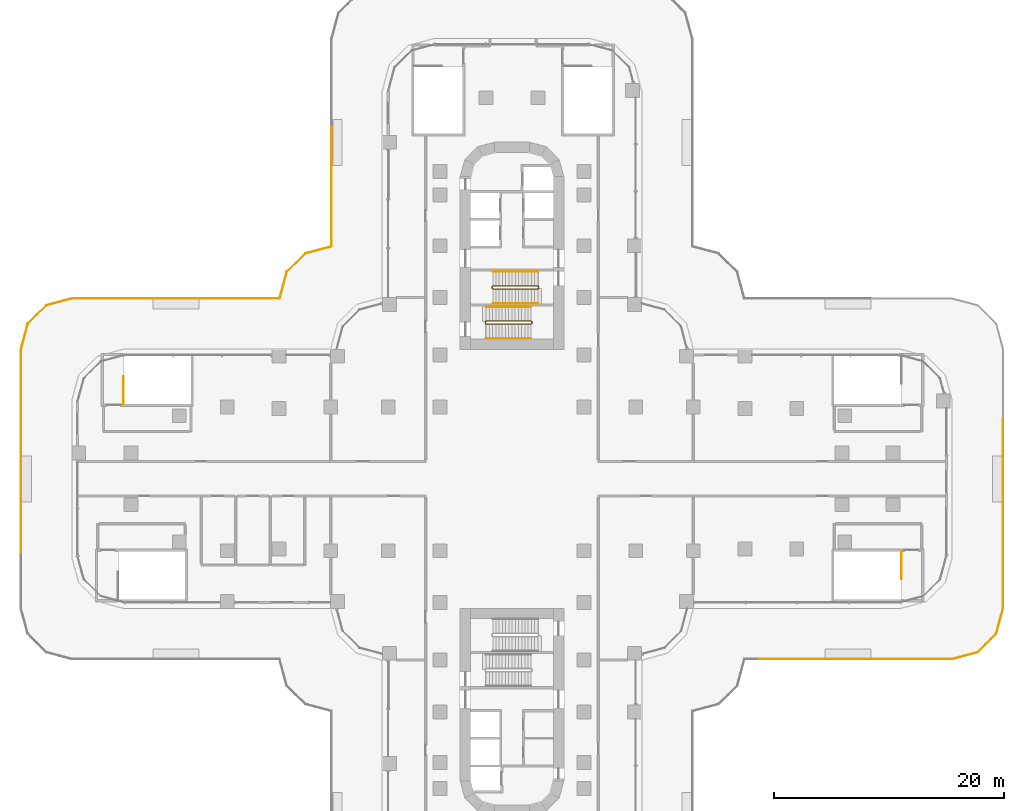
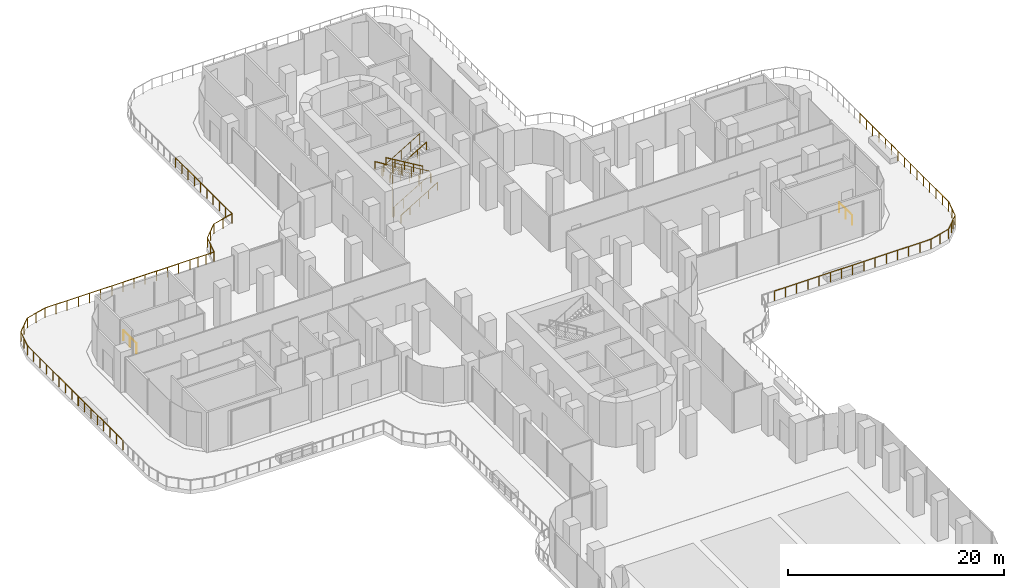
# One storey, part 19 of 21: 13 railings.
"""IFC4 building model written with IfcOpenShell, lengths in metres."""

from ifc_helpers import new_model, si_unit, direction, frame, origin, origin_2d, place, context, subcontext, project, spatial, circle, extrude, material, type_object, element, save


model = new_model("IFC4")

# Units and contexts
model_context = context("Model", 3, precision=1e-05, world=origin(), true_north=direction((0.0, 1.0)))
body_context = subcontext(model_context, "Body", "Model", "MODEL_VIEW")
ifc_project = project(units=[si_unit("LENGTHUNIT", "METRE"), si_unit("AREAUNIT", "SQUARE_METRE"), si_unit("VOLUMEUNIT", "CUBIC_METRE"), si_unit("PLANEANGLEUNIT", "RADIAN"), si_unit("MASSUNIT", "GRAM", prefix="KILO")], contexts=[model_context])

# Site, building, storey
site_placement = place(None, origin())
site = spatial("IfcSite", under=ifc_project, at=site_placement, CompositionType="ELEMENT")
building_placement = place(site_placement, origin())
building = spatial("IfcBuilding", under=site, at=building_placement, Name="Zarbagh Exchange Tower", CompositionType="ELEMENT")
storey_placement = place(building_placement, frame((0.0, 0.0, 22.0)))
storey = spatial("IfcBuildingStorey", under=building, at=storey_placement, Name="L04", CompositionType="ELEMENT", Elevation=22.0)

# Railings
ifc_material_1 = material(Name="Stainless steel", Category="steel")
railing_type_1 = type_object("IfcRailingType", Name="Stair guard 1100 mm", PredefinedType="GUARDRAIL", material=ifc_material_1)
railing_1_placement = place(storey_placement, frame((-1.669921875, 16.5, 2.666748046875)))
element("IfcRailing", 1, at=railing_1_placement, inside=storey, type_object=railing_type_1, Name="ST1 stair guard 1", PredefinedType="GUARDRAIL", context=body_context, shape_type="SweptSolid", body=[
    extrude(circle(Radius=0.02392578125, at=origin_2d()), frame((0.0, 0.0, 1.076171875), z_axis=(0.859296244711, 0.0, 0.511478214419), x_axis=(0.0, 1.0, 0.0)), (0.0, 0.0, 1.0), 4.561767578125),
    extrude(circle(Radius=0.02392578125, at=origin_2d()), frame((3.919921875, 0.0, 3.4091796875), z_axis=(0.010008762843, 0.010008762843, -0.999899819648), x_axis=(-0.707106781187, 0.707106781187, 0.0)), (0.0, 0.0, 1.0), 5.00048828125),
    extrude(circle(Radius=0.02392578125, at=origin_2d()), frame((3.969970703125, 0.050048828125, -1.5908203125), z_axis=(0.0, 1.0, 0.0), x_axis=(-1.0, 0.0, 0.0)), (0.0, 0.0, 1.0), 0.14990234375),
    extrude(circle(Radius=0.02392578125, at=origin_2d()), frame((3.969970703125, 0.199951171875, -1.5908203125), z_axis=(-0.27628659633, 0.27628659633, 0.920506074601), x_axis=(-0.707106781187, -0.707106781187, 0.0)), (0.0, 0.0, 1.0), 0.18115234375),
    extrude(circle(Radius=0.02392578125, at=origin_2d()), frame((3.919921875, 0.25, -1.423828125), z_axis=(-0.859296244711, 0.0, 0.511478214419), x_axis=(0.0, -1.0, 0.0)), (0.0, 0.0, 1.0), 4.561767578125),
    extrude(circle(Radius=0.02392578125, at=origin_2d()), frame((0.0, 0.25, 0.9091796875), z_axis=(-0.707106781187, -0.707106781187, 0.0), x_axis=(0.707106781187, -0.707106781187, 0.0)), (0.0, 0.0, 1.0), 0.07080078125),
    extrude(circle(Radius=0.02392578125, at=origin_2d()), frame((-0.050048828125, 0.199951171875, 0.9091796875), z_axis=(0.0, -1.0, 0.0), x_axis=(1.0, 0.0, 0.0)), (0.0, 0.0, 1.0), 0.14990234375),
    extrude(circle(Radius=0.02099609375, at=origin_2d()), origin(), (0.0, 0.0, 1.0), 1.052001953125),
    extrude(circle(Radius=0.02099609375, at=origin_2d()), frame((0.97998046875, 0.0, 0.583251953125)), (0.0, 0.0, 1.0), 1.052001953125),
    extrude(circle(Radius=0.02099609375, at=origin_2d()), frame((1.9599609375, 0.0, 1.16650390625)), (0.0, 0.0, 1.0), 1.052001953125),
    extrude(circle(Radius=0.02099609375, at=origin_2d()), frame((2.93994140625, 0.0, 1.75)), (0.0, 0.0, 1.0), 1.052001953125),
    extrude(circle(Radius=0.02099609375, at=origin_2d()), frame((3.919921875, 0.0, 2.333251953125)), (0.0, 0.0, 1.0), 1.052001953125),
    extrude(circle(Radius=0.02099609375, at=origin_2d()), frame((3.929931640625, 0.010009765625, 1.333251953125)), (0.0, 0.0, 1.0), 1.052001953125),
    extrude(circle(Radius=0.02099609375, at=origin_2d()), frame((3.93994140625, 0.02001953125, 0.333251953125)), (0.0, 0.0, 1.0), 1.052001953125),
    extrude(circle(Radius=0.02099609375, at=origin_2d()), frame((3.949951171875, 0.030029296875, -0.666748046875)), (0.0, 0.0, 1.0), 1.052001953125),
    extrude(circle(Radius=0.02099609375, at=origin_2d()), frame((3.9599609375, 0.0400390625, -1.666748046875)), (0.0, 0.0, 1.0), 1.052001953125),
    extrude(circle(Radius=0.02099609375, at=origin_2d()), frame((3.969970703125, 0.050048828125, -2.666748046875)), (0.0, 0.0, 1.0), 1.052001953125),
    extrude(circle(Radius=0.02099609375, at=origin_2d()), frame((3.969970703125, 0.199951171875, -2.666748046875)), (0.0, 0.0, 1.0), 1.052001953125),
    extrude(circle(Radius=0.02099609375, at=origin_2d()), frame((3.919921875, 0.25, -2.5)), (0.0, 0.0, 1.0), 1.052001953125),
    extrude(circle(Radius=0.02099609375, at=origin_2d()), frame((2.93994140625, 0.25, -1.916748046875)), (0.0, 0.0, 1.0), 1.052001953125),
    extrude(circle(Radius=0.02099609375, at=origin_2d()), frame((1.9599609375, 0.25, -1.33349609375)), (0.0, 0.0, 1.0), 1.052001953125),
    extrude(circle(Radius=0.02099609375, at=origin_2d()), frame((0.97998046875, 0.25, -0.75)), (0.0, 0.0, 1.0), 1.052001953125),
    extrude(circle(Radius=0.02099609375, at=origin_2d()), frame((0.0, 0.25, -0.166748046875)), (0.0, 0.0, 1.0), 1.052001953125),
    extrude(circle(Radius=0.02099609375, at=origin_2d()), frame((-0.050048828125, 0.199951171875, -0.166748046875)), (0.0, 0.0, 1.0), 1.052001953125),
    extrude(circle(Radius=0.02099609375, at=origin_2d()), frame((-0.050048828125, 0.050048828125, -0.166748046875)), (0.0, 0.0, 1.0), 1.052001953125),
])
railing_2_placement = place(storey_placement, frame((1.719970703125, 13.5, 2.5)))
element("IfcRailing", 2, at=railing_2_placement, inside=storey, type_object=railing_type_1, Name="ST2 stair guard 1", PredefinedType="GUARDRAIL", context=body_context, shape_type="SweptSolid", body=[
    extrude(circle(Radius=0.02392578125, at=origin_2d()), frame((0.0, 0.0, 1.076171875), z_axis=(0.0, 1.0, 0.0), x_axis=(-1.0, 0.0, 0.0)), (0.0, 0.0, 1.0), 0.14990234375),
    extrude(circle(Radius=0.02392578125, at=origin_2d()), frame((0.0, 0.14990234375, 1.076171875), z_axis=(-0.27628659633, 0.27628659633, 0.920506074601), x_axis=(-0.707106781187, -0.707106781187, 0.0)), (0.0, 0.0, 1.0), 0.18115234375),
    extrude(circle(Radius=0.02392578125, at=origin_2d()), frame((-0.050048828125, 0.199951171875, 1.24267578125), z_axis=(-0.859296244711, 0.0, 0.511478214419), x_axis=(0.0, -1.0, 0.0)), (0.0, 0.0, 1.0), 4.561767578125),
    extrude(circle(Radius=0.02392578125, at=origin_2d()), frame((-3.969970703125, 0.199951171875, 3.576171875), z_axis=(-0.010008762843, -0.010008762843, -0.999899819648), x_axis=(0.707106781187, -0.707106781187, 0.0)), (0.0, 0.0, 1.0), 5.00048828125),
    extrude(circle(Radius=0.02392578125, at=origin_2d()), frame((-4.02001953125, 0.14990234375, -1.423828125), z_axis=(0.0, -1.0, 0.0), x_axis=(1.0, 0.0, 0.0)), (0.0, 0.0, 1.0), 0.14990234375),
    extrude(circle(Radius=0.02392578125, at=origin_2d()), frame((-4.02001953125, 0.0, -1.423828125), z_axis=(0.27628659633, -0.27628659633, 0.920506074601), x_axis=(0.707106781187, 0.707106781187, 0.0)), (0.0, 0.0, 1.0), 0.18115234375),
    extrude(circle(Radius=0.02392578125, at=origin_2d()), frame((-3.969970703125, -0.050048828125, -1.25732421875), z_axis=(0.859296244711, 0.0, 0.511478214419), x_axis=(0.0, 1.0, 0.0)), (0.0, 0.0, 1.0), 4.561767578125),
    extrude(circle(Radius=0.02099609375, at=origin_2d()), origin(), (0.0, 0.0, 1.0), 1.052001953125),
    extrude(circle(Radius=0.02099609375, at=origin_2d()), frame((0.0, 0.14990234375, 0.0)), (0.0, 0.0, 1.0), 1.052001953125),
    extrude(circle(Radius=0.02099609375, at=origin_2d()), frame((-0.050048828125, 0.199951171875, 0.166748046875)), (0.0, 0.0, 1.0), 1.052001953125),
    extrude(circle(Radius=0.02099609375, at=origin_2d()), frame((-1.030029296875, 0.199951171875, 0.75)), (0.0, 0.0, 1.0), 1.052001953125),
    extrude(circle(Radius=0.02099609375, at=origin_2d()), frame((-2.010009765625, 0.199951171875, 1.33349609375)), (0.0, 0.0, 1.0), 1.052001953125),
    extrude(circle(Radius=0.02099609375, at=origin_2d()), frame((-2.989990234375, 0.199951171875, 1.916748046875)), (0.0, 0.0, 1.0), 1.052001953125),
    extrude(circle(Radius=0.02099609375, at=origin_2d()), frame((-3.969970703125, 0.199951171875, 2.5)), (0.0, 0.0, 1.0), 1.052001953125),
    extrude(circle(Radius=0.02099609375, at=origin_2d()), frame((-3.97998046875, 0.18994140625, 1.5)), (0.0, 0.0, 1.0), 1.052001953125),
    extrude(circle(Radius=0.02099609375, at=origin_2d()), frame((-3.989990234375, 0.179931640625, 0.5)), (0.0, 0.0, 1.0), 1.052001953125),
    extrude(circle(Radius=0.02099609375, at=origin_2d()), frame((-4.0, 0.169921875, -0.5)), (0.0, 0.0, 1.0), 1.052001953125),
    extrude(circle(Radius=0.02099609375, at=origin_2d()), frame((-4.010009765625, 0.159912109375, -1.5)), (0.0, 0.0, 1.0), 1.052001953125),
    extrude(circle(Radius=0.02099609375, at=origin_2d()), frame((-4.02001953125, 0.14990234375, -2.5)), (0.0, 0.0, 1.0), 1.052001953125),
    extrude(circle(Radius=0.02099609375, at=origin_2d()), frame((-4.02001953125, 0.0, -2.5)), (0.0, 0.0, 1.0), 1.052001953125),
    extrude(circle(Radius=0.02099609375, at=origin_2d()), frame((-3.969970703125, -0.050048828125, -2.333251953125)), (0.0, 0.0, 1.0), 1.052001953125),
    extrude(circle(Radius=0.02099609375, at=origin_2d()), frame((-2.989990234375, -0.050048828125, -1.75)), (0.0, 0.0, 1.0), 1.052001953125),
    extrude(circle(Radius=0.02099609375, at=origin_2d()), frame((-2.010009765625, -0.050048828125, -1.16650390625)), (0.0, 0.0, 1.0), 1.052001953125),
    extrude(circle(Radius=0.02099609375, at=origin_2d()), frame((-1.030029296875, -0.050048828125, -0.583251953125)), (0.0, 0.0, 1.0), 1.052001953125),
    extrude(circle(Radius=0.02099609375, at=origin_2d()), frame((-0.050048828125, -0.050048828125, 0.0)), (0.0, 0.0, 1.0), 1.052001953125),
])
railing_3_placement = place(storey_placement, frame((-33.75, 6.5, 0.0)))
element("IfcRailing", 3, at=railing_3_placement, inside=storey, type_object=railing_type_1, Name="PS5 top well guard 1", PredefinedType="GUARDRAIL", context=body_context, shape_type="SweptSolid", body=[
    extrude(circle(Radius=0.02392578125, at=origin_2d()), frame((0.0, 0.0, 1.076171875), z_axis=(0.0, 1.0, 0.0), x_axis=(-1.0, 0.0, 0.0)), (0.0, 0.0, 1.0), 2.39990234375),
    extrude(circle(Radius=0.02099609375, at=origin_2d()), origin(), (0.0, 0.0, 1.0), 1.052001953125),
    extrude(circle(Radius=0.02099609375, at=origin_2d()), frame((0.0, 1.199951171875, 0.0)), (0.0, 0.0, 1.0), 1.052001953125),
    extrude(circle(Radius=0.02099609375, at=origin_2d()), frame((0.0, 2.39990234375, 0.0)), (0.0, 0.0, 1.0), 1.052001953125),
])
railing_4_placement = place(storey_placement, frame((33.85009765625, -6.300048828125, 0.0)))
element("IfcRailing", 4, at=railing_4_placement, inside=storey, type_object=railing_type_1, Name="PS6 top well guard 1", PredefinedType="GUARDRAIL", context=body_context, shape_type="SweptSolid", body=[
    extrude(circle(Radius=0.02392578125, at=origin_2d()), frame((0.0, 0.0, 1.076171875), z_axis=(0.0, -1.0, 0.0), x_axis=(1.0, 0.0, 0.0)), (0.0, 0.0, 1.0), 2.39990234375),
    extrude(circle(Radius=0.02099609375, at=origin_2d()), origin(), (0.0, 0.0, 1.0), 1.052001953125),
    extrude(circle(Radius=0.02099609375, at=origin_2d()), frame((0.0, -1.199951171875, 0.0)), (0.0, 0.0, 1.0), 1.052001953125),
    extrude(circle(Radius=0.02099609375, at=origin_2d()), frame((0.0, -2.39990234375, 0.0)), (0.0, 0.0, 1.0), 1.052001953125),
])
railing_type_2 = type_object("IfcRailingType", Name="Stair handrail 900 mm", PredefinedType="HANDRAIL", material=ifc_material_1)
railing_5_placement = place(storey_placement, frame((2.25, 18.0, 0.166748046875)))
element("IfcRailing", 5, at=railing_5_placement, inside=storey, type_object=railing_type_2, Name="ST1 stair handrail 1", PredefinedType="HANDRAIL", context=body_context, shape_type="SweptSolid", body=[
    extrude(circle(Radius=0.02392578125, at=origin_2d()), frame((0.0, 0.0, 0.8759765625), z_axis=(-0.859296244711, 0.0, 0.511478214419), x_axis=(0.0, -1.0, 0.0)), (0.0, 0.0, 1.0), 4.561767578125),
    extrude(circle(Radius=0.02099609375, at=origin_2d()), origin(), (0.0, 0.0, 1.0), 0.851806640625),
    extrude(circle(Radius=0.02099609375, at=origin_2d()), frame((-0.97998046875, 0.0, 0.583251953125)), (0.0, 0.0, 1.0), 0.851806640625),
    extrude(circle(Radius=0.02099609375, at=origin_2d()), frame((-1.9599609375, 0.0, 1.16650390625)), (0.0, 0.0, 1.0), 0.851806640625),
    extrude(circle(Radius=0.02099609375, at=origin_2d()), frame((-2.93994140625, 0.0, 1.75)), (0.0, 0.0, 1.0), 0.851806640625),
    extrude(circle(Radius=0.02099609375, at=origin_2d()), frame((-3.919921875, 0.0, 2.333251953125)), (0.0, 0.0, 1.0), 0.851806640625),
])
for number, where, name in (
    (6, (-1.669921875, 15.25, 2.666748046875), "ST1 stair handrail 2"),
    (7, (-2.25, 12.199951171875, 0.166748046875), "ST2 stair handrail 1"),
):
    element("IfcRailing", number, at=place(storey_placement, frame(where)), inside=storey, type_object=railing_type_2, Name=name, PredefinedType="HANDRAIL", context=body_context, shape_type="SweptSolid", body=[
        extrude(circle(Radius=0.02392578125, at=origin_2d()), frame((0.0, 0.0, 0.8759765625), z_axis=(0.859296244711, 0.0, 0.511478214419), x_axis=(0.0, 1.0, 0.0)), (0.0, 0.0, 1.0), 4.561767578125),
        extrude(circle(Radius=0.02099609375, at=origin_2d()), origin(), (0.0, 0.0, 1.0), 0.851806640625),
        extrude(circle(Radius=0.02099609375, at=origin_2d()), frame((0.97998046875, 0.0, 0.583251953125)), (0.0, 0.0, 1.0), 0.851806640625),
        extrude(circle(Radius=0.02099609375, at=origin_2d()), frame((1.9599609375, 0.0, 1.16650390625)), (0.0, 0.0, 1.0), 0.851806640625),
        extrude(circle(Radius=0.02099609375, at=origin_2d()), frame((2.93994140625, 0.0, 1.75)), (0.0, 0.0, 1.0), 0.851806640625),
        extrude(circle(Radius=0.02099609375, at=origin_2d()), frame((3.919921875, 0.0, 2.333251953125)), (0.0, 0.0, 1.0), 0.851806640625),
    ])
railing_6_placement = place(storey_placement, frame((1.669921875, 14.949951171875, 2.666748046875)))
element("IfcRailing", 8, at=railing_6_placement, inside=storey, type_object=railing_type_2, Name="ST2 stair handrail 2", PredefinedType="HANDRAIL", context=body_context, shape_type="SweptSolid", body=[
    extrude(circle(Radius=0.02392578125, at=origin_2d()), frame((0.0, 0.0, 0.8759765625), z_axis=(-0.859296244711, 0.0, 0.511478214419), x_axis=(0.0, -1.0, 0.0)), (0.0, 0.0, 1.0), 4.561767578125),
    extrude(circle(Radius=0.02099609375, at=origin_2d()), origin(), (0.0, 0.0, 1.0), 0.851806640625),
    extrude(circle(Radius=0.02099609375, at=origin_2d()), frame((-0.97998046875, 0.0, 0.583251953125)), (0.0, 0.0, 1.0), 0.851806640625),
    extrude(circle(Radius=0.02099609375, at=origin_2d()), frame((-1.9599609375, 0.0, 1.16650390625)), (0.0, 0.0, 1.0), 0.851806640625),
    extrude(circle(Radius=0.02099609375, at=origin_2d()), frame((-2.93994140625, 0.0, 1.75)), (0.0, 0.0, 1.0), 0.851806640625),
    extrude(circle(Radius=0.02099609375, at=origin_2d()), frame((-3.919921875, 0.0, 2.333251953125)), (0.0, 0.0, 1.0), 0.851806640625),
])
ifc_material_2 = material(Name="Stainless steel and laminated glass", Category="steel")
railing_type_3 = type_object("IfcRailingType", Name="Terrace guard, glass balustrade 1.1 m", PredefinedType="GUARDRAIL", material=ifc_material_2)
railing_7_placement = place(storey_placement, frame((-42.669921875, -6.410400390625, 0.0)))
element("IfcRailing", 9, at=railing_7_placement, inside=storey, type_object=railing_type_3, Name="TG01 terrace guard", PredefinedType="GUARDRAIL", context=body_context, shape_type="SweptSolid", body=[
    extrude(circle(Radius=0.02490234375, at=origin_2d()), frame((0.0, 0.0, 1.0751953125), z_axis=(0.0, 1.0, 0.0), x_axis=(-1.0, 0.0, 0.0)), (0.0, 0.0, 1.0), 17.64990234375),
    extrude(circle(Radius=0.02490234375, at=origin_2d()), frame((0.0, 17.64990234375, 1.0751953125), z_axis=(0.258780353152, 0.965936192935, 0.0), x_axis=(-0.965936192935, 0.258780353152, 0.0)), (0.0, 0.0, 1.0), 2.29736328125),
    extrude(circle(Radius=0.02490234375, at=origin_2d()), frame((0.594482421875, 19.868896484375, 1.0751953125), z_axis=(0.707106781187, 0.707106781187, 0.0), x_axis=(-0.707106781187, 0.707106781187, 0.0)), (0.0, 0.0, 1.0), 0.052734375),
    extrude(circle(Radius=0.02490234375, at=origin_2d()), origin(), (0.0, 0.0, 1.0), 1.050048828125),
    extrude(circle(Radius=0.02490234375, at=origin_2d()), frame((0.0, 1.1767578125, 0.0)), (0.0, 0.0, 1.0), 1.050048828125),
    extrude(circle(Radius=0.02490234375, at=origin_2d()), frame((0.0, 2.353271484375, 0.0)), (0.0, 0.0, 1.0), 1.050048828125),
    extrude(circle(Radius=0.02490234375, at=origin_2d()), frame((0.0, 3.530029296875, 0.0)), (0.0, 0.0, 1.0), 1.050048828125),
    extrude(circle(Radius=0.02490234375, at=origin_2d()), frame((0.0, 4.70654296875, 0.0)), (0.0, 0.0, 1.0), 1.050048828125),
    extrude(circle(Radius=0.02490234375, at=origin_2d()), frame((0.0, 5.88330078125, 0.0)), (0.0, 0.0, 1.0), 1.050048828125),
    extrude(circle(Radius=0.02490234375, at=origin_2d()), frame((0.0, 7.06005859375, 0.0)), (0.0, 0.0, 1.0), 1.050048828125),
    extrude(circle(Radius=0.02490234375, at=origin_2d()), frame((0.0, 8.236572265625, 0.0)), (0.0, 0.0, 1.0), 1.050048828125),
    extrude(circle(Radius=0.02490234375, at=origin_2d()), frame((0.0, 9.413330078125, 0.0)), (0.0, 0.0, 1.0), 1.050048828125),
    extrude(circle(Radius=0.02490234375, at=origin_2d()), frame((0.0, 10.58984375, 0.0)), (0.0, 0.0, 1.0), 1.050048828125),
    extrude(circle(Radius=0.02490234375, at=origin_2d()), frame((0.0, 11.7666015625, 0.0)), (0.0, 0.0, 1.0), 1.050048828125),
    extrude(circle(Radius=0.02490234375, at=origin_2d()), frame((0.0, 12.943359375, 0.0)), (0.0, 0.0, 1.0), 1.050048828125),
    extrude(circle(Radius=0.02490234375, at=origin_2d()), frame((0.0, 14.119873046875, 0.0)), (0.0, 0.0, 1.0), 1.050048828125),
    extrude(circle(Radius=0.02490234375, at=origin_2d()), frame((0.0, 15.296630859375, 0.0)), (0.0, 0.0, 1.0), 1.050048828125),
    extrude(circle(Radius=0.02490234375, at=origin_2d()), frame((0.0, 16.47314453125, 0.0)), (0.0, 0.0, 1.0), 1.050048828125),
    extrude(circle(Radius=0.02490234375, at=origin_2d()), frame((0.0, 17.64990234375, 0.0)), (0.0, 0.0, 1.0), 1.050048828125),
    extrude(circle(Radius=0.02490234375, at=origin_2d()), frame((0.29736328125, 18.75927734375, 0.0)), (0.0, 0.0, 1.0), 1.050048828125),
    extrude(circle(Radius=0.02490234375, at=origin_2d()), frame((0.594482421875, 19.868896484375, 0.0)), (0.0, 0.0, 1.0), 1.050048828125),
    extrude(circle(Radius=0.02490234375, at=origin_2d()), frame((0.6318359375, 19.90625, 0.0)), (0.0, 0.0, 1.0), 1.050048828125),
])
railing_8_placement = place(storey_placement, frame((-42.0380859375, 13.495849609375, 0.0)))
element("IfcRailing", 10, at=railing_8_placement, inside=storey, type_object=railing_type_3, Name="TG01 terrace guard", PredefinedType="GUARDRAIL", context=body_context, shape_type="SweptSolid", body=[
    extrude(circle(Radius=0.02490234375, at=origin_2d()), frame((0.0, 0.0, 1.0751953125), z_axis=(0.707106781187, 0.707106781187, 0.0), x_axis=(-0.707106781187, 0.707106781187, 0.0)), (0.0, 0.0, 1.0), 2.23388671875),
    extrude(circle(Radius=0.02490234375, at=origin_2d()), frame((1.57958984375, 1.57958984375, 1.0751953125), z_axis=(0.965936192935, 0.258780353152, 0.0), x_axis=(-0.258780353152, 0.965936192935, 0.0)), (0.0, 0.0, 1.0), 2.29736328125),
    extrude(circle(Radius=0.02490234375, at=origin_2d()), frame((3.798583984375, 2.174072265625, 1.0751953125), z_axis=(1.0, 0.0, 0.0), x_axis=(0.0, 1.0, 0.0)), (0.0, 0.0, 1.0), 15.46875),
    extrude(circle(Radius=0.02490234375, at=origin_2d()), origin(), (0.0, 0.0, 1.0), 1.050048828125),
    extrude(circle(Radius=0.02490234375, at=origin_2d()), frame((0.789794921875, 0.789794921875, 0.0)), (0.0, 0.0, 1.0), 1.050048828125),
    extrude(circle(Radius=0.02490234375, at=origin_2d()), frame((1.57958984375, 1.57958984375, 0.0)), (0.0, 0.0, 1.0), 1.050048828125),
    extrude(circle(Radius=0.02490234375, at=origin_2d()), frame((2.68896484375, 1.876953125, 0.0)), (0.0, 0.0, 1.0), 1.050048828125),
    extrude(circle(Radius=0.02490234375, at=origin_2d()), frame((3.798583984375, 2.174072265625, 0.0)), (0.0, 0.0, 1.0), 1.050048828125),
    extrude(circle(Radius=0.02490234375, at=origin_2d()), frame((4.988525390625, 2.174072265625, 0.0)), (0.0, 0.0, 1.0), 1.050048828125),
    extrude(circle(Radius=0.02490234375, at=origin_2d()), frame((6.178466796875, 2.174072265625, 0.0)), (0.0, 0.0, 1.0), 1.050048828125),
    extrude(circle(Radius=0.02490234375, at=origin_2d()), frame((7.368408203125, 2.174072265625, 0.0)), (0.0, 0.0, 1.0), 1.050048828125),
    extrude(circle(Radius=0.02490234375, at=origin_2d()), frame((8.55810546875, 2.174072265625, 0.0)), (0.0, 0.0, 1.0), 1.050048828125),
    extrude(circle(Radius=0.02490234375, at=origin_2d()), frame((9.748046875, 2.174072265625, 0.0)), (0.0, 0.0, 1.0), 1.050048828125),
    extrude(circle(Radius=0.02490234375, at=origin_2d()), frame((10.93798828125, 2.174072265625, 0.0)), (0.0, 0.0, 1.0), 1.050048828125),
    extrude(circle(Radius=0.02490234375, at=origin_2d()), frame((12.1279296875, 2.174072265625, 0.0)), (0.0, 0.0, 1.0), 1.050048828125),
    extrude(circle(Radius=0.02490234375, at=origin_2d()), frame((13.31787109375, 2.174072265625, 0.0)), (0.0, 0.0, 1.0), 1.050048828125),
    extrude(circle(Radius=0.02490234375, at=origin_2d()), frame((14.5078125, 2.174072265625, 0.0)), (0.0, 0.0, 1.0), 1.050048828125),
    extrude(circle(Radius=0.02490234375, at=origin_2d()), frame((15.697509765625, 2.174072265625, 0.0)), (0.0, 0.0, 1.0), 1.050048828125),
    extrude(circle(Radius=0.02490234375, at=origin_2d()), frame((16.887451171875, 2.174072265625, 0.0)), (0.0, 0.0, 1.0), 1.050048828125),
    extrude(circle(Radius=0.02490234375, at=origin_2d()), frame((18.077392578125, 2.174072265625, 0.0)), (0.0, 0.0, 1.0), 1.050048828125),
    extrude(circle(Radius=0.02490234375, at=origin_2d()), frame((19.267333984375, 2.174072265625, 0.0)), (0.0, 0.0, 1.0), 1.050048828125),
])
railing_9_placement = place(storey_placement, frame((-22.770751953125, 15.669921875, 0.0)))
element("IfcRailing", 11, at=railing_9_placement, inside=storey, type_object=railing_type_3, Name="TG01 terrace guard", PredefinedType="GUARDRAIL", context=body_context, shape_type="SweptSolid", body=[
    extrude(circle(Radius=0.02490234375, at=origin_2d()), frame((0.0, 0.0, 1.0751953125), z_axis=(1.0, 0.0, 0.0), x_axis=(0.0, 1.0, 0.0)), (0.0, 0.0, 1.0), 2.58203125),
    extrude(circle(Radius=0.02490234375, at=origin_2d()), frame((2.58203125, 0.0, 1.0751953125), z_axis=(0.258842529128, 0.965919533457, 0.0), x_axis=(-0.965919533457, 0.258842529128, 0.0)), (0.0, 0.0, 1.0), 2.369384765625),
    extrude(circle(Radius=0.02490234375, at=origin_2d()), frame((3.1953125, 2.28857421875, 1.0751953125), z_axis=(0.707106781187, 0.707106781187, 0.0), x_axis=(-0.707106781187, 0.707106781187, 0.0)), (0.0, 0.0, 1.0), 2.28662109375),
    extrude(circle(Radius=0.02490234375, at=origin_2d()), frame((4.812255859375, 3.905517578125, 1.0751953125), z_axis=(0.965919533457, 0.258842529128, 0.0), x_axis=(-0.258842529128, 0.965919533457, 0.0)), (0.0, 0.0, 1.0), 2.369384765625),
    extrude(circle(Radius=0.02490234375, at=origin_2d()), frame((7.100830078125, 4.518798828125, 1.0751953125), z_axis=(0.0, 1.0, 0.0), x_axis=(-1.0, 0.0, 0.0)), (0.0, 0.0, 1.0), 10.392578125),
    extrude(circle(Radius=0.02490234375, at=origin_2d()), origin(), (0.0, 0.0, 1.0), 1.050048828125),
    extrude(circle(Radius=0.02490234375, at=origin_2d()), frame((0.860595703125, 0.0, 0.0)), (0.0, 0.0, 1.0), 1.050048828125),
    extrude(circle(Radius=0.02490234375, at=origin_2d()), frame((1.721435546875, 0.0, 0.0)), (0.0, 0.0, 1.0), 1.050048828125),
    extrude(circle(Radius=0.02490234375, at=origin_2d()), frame((2.58203125, 0.0, 0.0)), (0.0, 0.0, 1.0), 1.050048828125),
    extrude(circle(Radius=0.02490234375, at=origin_2d()), frame((2.888671875, 1.144287109375, 0.0)), (0.0, 0.0, 1.0), 1.050048828125),
    extrude(circle(Radius=0.02490234375, at=origin_2d()), frame((3.1953125, 2.28857421875, 0.0)), (0.0, 0.0, 1.0), 1.050048828125),
    extrude(circle(Radius=0.02490234375, at=origin_2d()), frame((4.00390625, 3.09716796875, 0.0)), (0.0, 0.0, 1.0), 1.050048828125),
    extrude(circle(Radius=0.02490234375, at=origin_2d()), frame((4.812255859375, 3.905517578125, 0.0)), (0.0, 0.0, 1.0), 1.050048828125),
    extrude(circle(Radius=0.02490234375, at=origin_2d()), frame((5.95654296875, 4.212158203125, 0.0)), (0.0, 0.0, 1.0), 1.050048828125),
    extrude(circle(Radius=0.02490234375, at=origin_2d()), frame((7.100830078125, 4.518798828125, 0.0)), (0.0, 0.0, 1.0), 1.050048828125),
    extrude(circle(Radius=0.02490234375, at=origin_2d()), frame((7.100830078125, 5.673583984375, 0.0)), (0.0, 0.0, 1.0), 1.050048828125),
    extrude(circle(Radius=0.02490234375, at=origin_2d()), frame((7.100830078125, 6.828369140625, 0.0)), (0.0, 0.0, 1.0), 1.050048828125),
    extrude(circle(Radius=0.02490234375, at=origin_2d()), frame((7.100830078125, 7.98291015625, 0.0)), (0.0, 0.0, 1.0), 1.050048828125),
    extrude(circle(Radius=0.02490234375, at=origin_2d()), frame((7.100830078125, 9.1376953125, 0.0)), (0.0, 0.0, 1.0), 1.050048828125),
    extrude(circle(Radius=0.02490234375, at=origin_2d()), frame((7.100830078125, 10.29248046875, 0.0)), (0.0, 0.0, 1.0), 1.050048828125),
    extrude(circle(Radius=0.02490234375, at=origin_2d()), frame((7.100830078125, 11.447265625, 0.0)), (0.0, 0.0, 1.0), 1.050048828125),
    extrude(circle(Radius=0.02490234375, at=origin_2d()), frame((7.100830078125, 12.601806640625, 0.0)), (0.0, 0.0, 1.0), 1.050048828125),
    extrude(circle(Radius=0.02490234375, at=origin_2d()), frame((7.100830078125, 13.756591796875, 0.0)), (0.0, 0.0, 1.0), 1.050048828125),
    extrude(circle(Radius=0.02490234375, at=origin_2d()), frame((7.100830078125, 14.911376953125, 0.0)), (0.0, 0.0, 1.0), 1.050048828125),
])
railing_10_placement = place(storey_placement, frame((42.669921875, 5.147216796875, 0.0)))
element("IfcRailing", 12, at=railing_10_placement, inside=storey, type_object=railing_type_3, Name="TG01 terrace guard", PredefinedType="GUARDRAIL", context=body_context, shape_type="SweptSolid", body=[
    extrude(circle(Radius=0.02490234375, at=origin_2d()), frame((0.0, 0.0, 1.0751953125), z_axis=(0.0, -1.0, 0.0), x_axis=(1.0, 0.0, 0.0)), (0.0, 0.0, 1.0), 16.38671875),
    extrude(circle(Radius=0.02490234375, at=origin_2d()), frame((0.0, -16.38671875, 1.0751953125), z_axis=(-0.258780353152, -0.965936192935, 0.0), x_axis=(0.965936192935, -0.258780353152, 0.0)), (0.0, 0.0, 1.0), 2.29736328125),
    extrude(circle(Radius=0.02490234375, at=origin_2d()), frame((-0.594482421875, -18.605712890625, 1.0751953125), z_axis=(-0.707106781187, -0.707106781187, 0.0), x_axis=(0.707106781187, -0.707106781187, 0.0)), (0.0, 0.0, 1.0), 1.31591796875),
    extrude(circle(Radius=0.02490234375, at=origin_2d()), origin(), (0.0, 0.0, 1.0), 1.050048828125),
    extrude(circle(Radius=0.02490234375, at=origin_2d()), frame((0.0, -1.17041015625, 0.0)), (0.0, 0.0, 1.0), 1.050048828125),
    extrude(circle(Radius=0.02490234375, at=origin_2d()), frame((0.0, -2.341064453125, 0.0)), (0.0, 0.0, 1.0), 1.050048828125),
    extrude(circle(Radius=0.02490234375, at=origin_2d()), frame((0.0, -3.511474609375, 0.0)), (0.0, 0.0, 1.0), 1.050048828125),
    extrude(circle(Radius=0.02490234375, at=origin_2d()), frame((0.0, -4.681884765625, 0.0)), (0.0, 0.0, 1.0), 1.050048828125),
    extrude(circle(Radius=0.02490234375, at=origin_2d()), frame((0.0, -5.852294921875, 0.0)), (0.0, 0.0, 1.0), 1.050048828125),
    extrude(circle(Radius=0.02490234375, at=origin_2d()), frame((0.0, -7.02294921875, 0.0)), (0.0, 0.0, 1.0), 1.050048828125),
    extrude(circle(Radius=0.02490234375, at=origin_2d()), frame((0.0, -8.193359375, 0.0)), (0.0, 0.0, 1.0), 1.050048828125),
    extrude(circle(Radius=0.02490234375, at=origin_2d()), frame((0.0, -9.36376953125, 0.0)), (0.0, 0.0, 1.0), 1.050048828125),
    extrude(circle(Radius=0.02490234375, at=origin_2d()), frame((0.0, -10.534423828125, 0.0)), (0.0, 0.0, 1.0), 1.050048828125),
    extrude(circle(Radius=0.02490234375, at=origin_2d()), frame((0.0, -11.704833984375, 0.0)), (0.0, 0.0, 1.0), 1.050048828125),
    extrude(circle(Radius=0.02490234375, at=origin_2d()), frame((0.0, -12.875244140625, 0.0)), (0.0, 0.0, 1.0), 1.050048828125),
    extrude(circle(Radius=0.02490234375, at=origin_2d()), frame((0.0, -14.045654296875, 0.0)), (0.0, 0.0, 1.0), 1.050048828125),
    extrude(circle(Radius=0.02490234375, at=origin_2d()), frame((0.0, -15.21630859375, 0.0)), (0.0, 0.0, 1.0), 1.050048828125),
    extrude(circle(Radius=0.02490234375, at=origin_2d()), frame((0.0, -16.38671875, 0.0)), (0.0, 0.0, 1.0), 1.050048828125),
    extrude(circle(Radius=0.02490234375, at=origin_2d()), frame((-0.29736328125, -17.49609375, 0.0)), (0.0, 0.0, 1.0), 1.050048828125),
    extrude(circle(Radius=0.02490234375, at=origin_2d()), frame((-0.594482421875, -18.605712890625, 0.0)), (0.0, 0.0, 1.0), 1.050048828125),
    extrude(circle(Radius=0.02490234375, at=origin_2d()), frame((-1.0595703125, -19.07080078125, 0.0)), (0.0, 0.0, 1.0), 1.050048828125),
    extrude(circle(Radius=0.02490234375, at=origin_2d()), frame((-1.52490234375, -19.5361328125, 0.0)), (0.0, 0.0, 1.0), 1.050048828125),
])
railing_11_placement = place(storey_placement, frame((41.14501953125, -14.388916015625, 0.0)))
element("IfcRailing", 13, at=railing_11_placement, inside=storey, type_object=railing_type_3, Name="TG01 terrace guard", PredefinedType="GUARDRAIL", context=body_context, shape_type="SweptSolid", body=[
    extrude(circle(Radius=0.02490234375, at=origin_2d()), frame((0.0, 0.0, 1.0751953125), z_axis=(-0.707106781187, -0.707106781187, 0.0), x_axis=(0.707106781187, -0.707106781187, 0.0)), (0.0, 0.0, 1.0), 0.970947265625),
    extrude(circle(Radius=0.02490234375, at=origin_2d()), frame((-0.6865234375, -0.6865234375, 1.0751953125), z_axis=(-0.965936192935, -0.258780353152, 0.0), x_axis=(0.258780353152, -0.965936192935, 0.0)), (0.0, 0.0, 1.0), 2.29736328125),
    extrude(circle(Radius=0.02490234375, at=origin_2d()), frame((-2.905517578125, -1.281005859375, 1.0751953125), z_axis=(-1.0, 0.0, 0.0), x_axis=(0.0, -1.0, 0.0)), (0.0, 0.0, 1.0), 16.73193359375),
    extrude(circle(Radius=0.02490234375, at=origin_2d()), origin(), (0.0, 0.0, 1.0), 1.050048828125),
    extrude(circle(Radius=0.02490234375, at=origin_2d()), frame((-0.6865234375, -0.6865234375, 0.0)), (0.0, 0.0, 1.0), 1.050048828125),
    extrude(circle(Radius=0.02490234375, at=origin_2d()), frame((-1.7958984375, -0.98388671875, 0.0)), (0.0, 0.0, 1.0), 1.050048828125),
    extrude(circle(Radius=0.02490234375, at=origin_2d()), frame((-2.905517578125, -1.281005859375, 0.0)), (0.0, 0.0, 1.0), 1.050048828125),
    extrude(circle(Radius=0.02490234375, at=origin_2d()), frame((-4.1005859375, -1.281005859375, 0.0)), (0.0, 0.0, 1.0), 1.050048828125),
    extrude(circle(Radius=0.02490234375, at=origin_2d()), frame((-5.2958984375, -1.281005859375, 0.0)), (0.0, 0.0, 1.0), 1.050048828125),
    extrude(circle(Radius=0.02490234375, at=origin_2d()), frame((-6.490966796875, -1.281005859375, 0.0)), (0.0, 0.0, 1.0), 1.050048828125),
    extrude(circle(Radius=0.02490234375, at=origin_2d()), frame((-7.68603515625, -1.281005859375, 0.0)), (0.0, 0.0, 1.0), 1.050048828125),
    extrude(circle(Radius=0.02490234375, at=origin_2d()), frame((-8.881103515625, -1.281005859375, 0.0)), (0.0, 0.0, 1.0), 1.050048828125),
    extrude(circle(Radius=0.02490234375, at=origin_2d()), frame((-10.076416015625, -1.281005859375, 0.0)), (0.0, 0.0, 1.0), 1.050048828125),
    extrude(circle(Radius=0.02490234375, at=origin_2d()), frame((-11.271484375, -1.281005859375, 0.0)), (0.0, 0.0, 1.0), 1.050048828125),
    extrude(circle(Radius=0.02490234375, at=origin_2d()), frame((-12.466552734375, -1.281005859375, 0.0)), (0.0, 0.0, 1.0), 1.050048828125),
    extrude(circle(Radius=0.02490234375, at=origin_2d()), frame((-13.661865234375, -1.281005859375, 0.0)), (0.0, 0.0, 1.0), 1.050048828125),
    extrude(circle(Radius=0.02490234375, at=origin_2d()), frame((-14.85693359375, -1.281005859375, 0.0)), (0.0, 0.0, 1.0), 1.050048828125),
    extrude(circle(Radius=0.02490234375, at=origin_2d()), frame((-16.052001953125, -1.281005859375, 0.0)), (0.0, 0.0, 1.0), 1.050048828125),
    extrude(circle(Radius=0.02490234375, at=origin_2d()), frame((-17.2470703125, -1.281005859375, 0.0)), (0.0, 0.0, 1.0), 1.050048828125),
    extrude(circle(Radius=0.02490234375, at=origin_2d()), frame((-18.4423828125, -1.281005859375, 0.0)), (0.0, 0.0, 1.0), 1.050048828125),
    extrude(circle(Radius=0.02490234375, at=origin_2d()), frame((-19.637451171875, -1.281005859375, 0.0)), (0.0, 0.0, 1.0), 1.050048828125),
])

save(model, "model.ifc")
